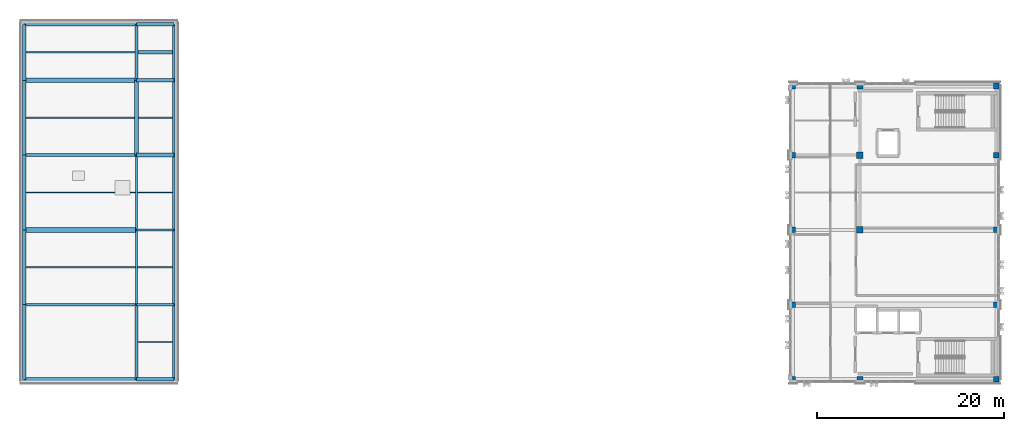
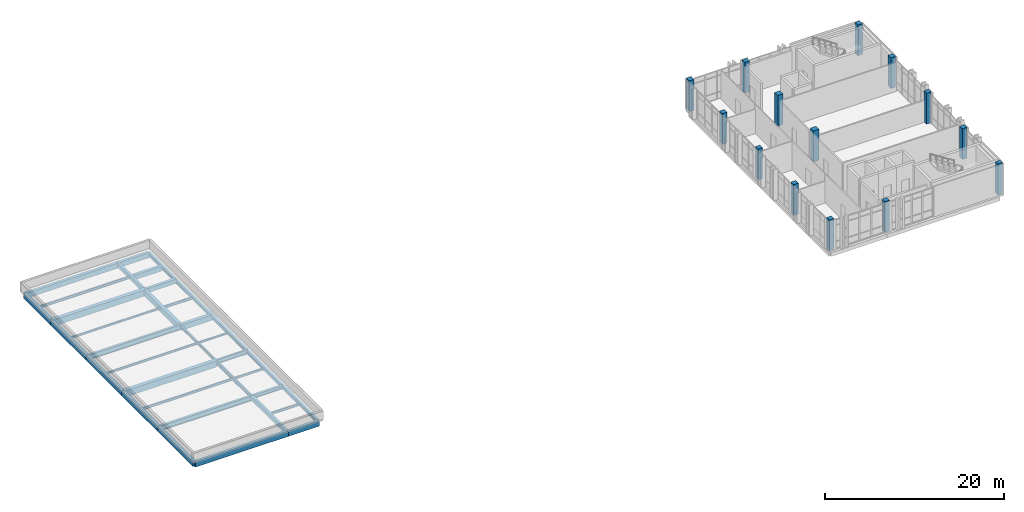
# One storey, part 1 of 22: 36 beams, 14 columns.
"""IFC4 building model written with IfcOpenShell, lengths in metres."""

from ifc_helpers import new_model, si_unit, direction, frame, origin, origin_2d, place, context, subcontext, project, spatial, rectangle, i_section, extrude, material, material_profile, profile_set, type_object, element, save


model = new_model("IFC4")

# Units and contexts
model_context = context("Model", 3, precision=1e-05, world=origin(), true_north=direction((0.0, 1.0)))
body_context = subcontext(model_context, "Body", "Model", "MODEL_VIEW")
ifc_project = project(units=[si_unit("LENGTHUNIT", "METRE"), si_unit("AREAUNIT", "SQUARE_METRE"), si_unit("VOLUMEUNIT", "CUBIC_METRE"), si_unit("PLANEANGLEUNIT", "RADIAN"), si_unit("MASSUNIT", "GRAM", prefix="KILO")], contexts=[model_context])

# Site, building, storey
site_placement = place(None, origin())
site = spatial("IfcSite", under=ifc_project, at=site_placement, CompositionType="ELEMENT")
building_placement = place(site_placement, origin())
building = spatial("IfcBuilding", under=site, at=building_placement, Name="Qalavern Law Courts", CompositionType="ELEMENT")
storey_placement = place(building_placement, frame((0.0, 0.0, 35.39990234375)))
storey = spatial("IfcBuildingStorey", under=building, at=storey_placement, Name="L08", CompositionType="ELEMENT", Elevation=35.39990234375)

# Columns
ifc_material_1 = material(Name="Concrete C45/55", Category="concrete")
ifc_material_profile_1 = material_profile(ifc_material_1, rectangle(XDim=0.60009765625, YDim=0.60009765625, at=origin_2d()), Name="RC 600x600")
ifc_profile_set_1 = profile_set([ifc_material_profile_1], Name="Concrete C45/55")
column_type_1 = type_object("IfcColumnType", Name="STR-COL-RC600E", PredefinedType="COLUMN", material=ifc_profile_set_1)
for number, where, z_axis, x_axis, name in (
    (1, (84.60009765625, 41.419921875, 0.0), (0.0, 0.0, 1.0), (1.0, 0.0, 0.0), "V4 column 1-1 L08"),
    (2, (84.60009765625, 49.39990234375, 0.0), (0.0, 0.0, 1.0), (1.0, 0.0, 0.0), "V4 column 1-2 L08"),
    (3, (84.60009765625, 57.39990234375, 0.0), (0.0, 0.0, 1.0), (1.0, 0.0, 0.0), "V4 column 1-3 L08"),
    (4, (84.60009765625, 65.39990234375, 0.0), (0.0, 0.0, 1.0), (1.0, 0.0, 0.0), "V4 column 1-4 L08"),
    (5, (84.60009765625, 72.800048828125, 0.0), (0.0, 0.0, 1.0), (1.0, 0.0, 0.0), "V4 column 1-5 L08"),
    (6, (91.800048828125, 41.419921875, 0.0), (0.0, 0.0, 1.0), (1.0, 0.0, 0.0), "V4 column 2-1 L08"),
    (7, (91.800048828125, 72.800048828125, 0.0), (0.0, 0.0, 1.0), (1.0, 0.0, 0.0), "V4 column 2-5 L08"),
    (8, (106.39990234375, 41.419921875, 0.0), (0.0, 0.0, 1.0), (1.0, 0.0, 0.0), "V4 column 3-1 L08"),
    (9, (106.39990234375, 49.39990234375, 0.0), (0.0, 0.0, 1.0), (1.0, 0.0, 0.0), "V4 column 3-2 L08"),
    (10, (106.39990234375, 57.39990234375, 0.0), (0.0, 0.0, 1.0), (1.0, 0.0, 0.0), "V4 column 3-3 L08"),
    (11, (106.39990234375, 65.39990234375, 0.0), (0.0, 0.0, 1.0), (1.0, 0.0, 0.0), "V4 column 3-4 L08"),
    (12, (106.39990234375, 72.800048828125, 0.0), (0.0, 0.0, 1.0), (1.0, 0.0, 0.0), "V4 column 3-5 L08"),
):
    element("IfcColumn", number, at=place(storey_placement, frame(where, z_axis=z_axis, x_axis=x_axis)), inside=storey, type_object=column_type_1, Name=name, PredefinedType="COLUMN", context=body_context, shape_type="SweptSolid", body=[
        extrude(rectangle(XDim=0.60009765625, YDim=0.60009765625, at=origin_2d()), origin(), (0.0, 0.0, 1.0), 4.2001953125),
    ])
ifc_material_profile_2 = material_profile(ifc_material_1, rectangle(XDim=0.699951171875, YDim=0.699951171875, at=origin_2d()), Name="RC 700x700")
ifc_profile_set_2 = profile_set([ifc_material_profile_2], Name="Concrete C45/55")
column_type_2 = type_object("IfcColumnType", Name="STR-COL-RC700", PredefinedType="COLUMN", material=ifc_profile_set_2)
for number, where, z_axis, x_axis, name in (
    (13, (91.800048828125, 57.39990234375, 0.0), (0.0, 0.0, 1.0), (1.0, 0.0, 0.0), "V4 column 2-3 L08"),
    (14, (91.800048828125, 65.39990234375, 0.0), (0.0, 0.0, 1.0), (1.0, 0.0, 0.0), "V4 column 2-4 L08"),
):
    element("IfcColumn", number, at=place(storey_placement, frame(where, z_axis=z_axis, x_axis=x_axis)), inside=storey, type_object=column_type_2, Name=name, PredefinedType="COLUMN", context=body_context, shape_type="SweptSolid", body=[
        extrude(rectangle(XDim=0.699951171875, YDim=0.699951171875, at=origin_2d()), origin(), (0.0, 0.0, 1.0), 4.2001953125),
    ])

# Beams
ifc_material_2 = material(Name="Steel S355", Category="steel")
ifc_material_profile_3 = material_profile(ifc_material_2, i_section(OverallWidth=0.300048828125, OverallDepth=0.489990234375, WebThickness=0.011962890625, FlangeThickness=0.02294921875, FilletRadius=0.027099609375, at=origin_2d()), Name="HEA 500")
ifc_profile_set_3 = profile_set([ifc_material_profile_3], Name="Steel S355")
beam_type_1 = type_object("IfcBeamType", Name="STR-BM-HEA500", PredefinedType="BEAM", material=ifc_profile_set_3)
beam_1_placement = place(storey_placement, frame((14.39990234375, 49.39990234375, -0.5048828125), z_axis=(1.0, 0.0, 0.0), x_axis=(0.0, 1.0, 0.0)))
element("IfcBeam", 15, at=beam_1_placement, inside=storey, type_object=beam_type_1, Name="V3 X-beam 2-2 L08", PredefinedType="BEAM", context=body_context, shape_type="SweptSolid", body=[
    extrude(i_section(OverallWidth=0.300048828125, OverallDepth=0.489990234375, WebThickness=0.011962890625, FlangeThickness=0.02294921875, FilletRadius=0.027099609375, at=origin_2d()), origin(), (0.0, 0.0, 1.0), 4.0),
])
ifc_material_profile_4 = material_profile(ifc_material_2, i_section(OverallWidth=0.300048828125, OverallDepth=0.699951171875, WebThickness=0.01708984375, FlangeThickness=0.031982421875, FilletRadius=0.027099609375, at=origin_2d()), Name="HEB 700")
ifc_profile_set_4 = profile_set([ifc_material_profile_4], Name="Steel S355")
beam_type_2 = type_object("IfcBeamType", Name="STR-BM-HEB700", PredefinedType="BEAM", material=ifc_profile_set_4)
for number, where, z_axis, x_axis, name in (
    (16, (2.39990234375, 49.39990234375, -0.60986328125), (1.0, 0.0, 0.0), (0.0, 1.0, 0.0), "V3 X-beam 2-1 L08"),
    (17, (2.39990234375, 65.39990234375, -0.60986328125), (1.0, 0.0, 0.0), (0.0, 1.0, 0.0), "V3 X-beam 4-1 L08"),
):
    element("IfcBeam", number, at=place(storey_placement, frame(where, z_axis=z_axis, x_axis=x_axis)), inside=storey, type_object=beam_type_2, Name=name, PredefinedType="BEAM", context=body_context, shape_type="SweptSolid", body=[
        extrude(i_section(OverallWidth=0.300048828125, OverallDepth=0.699951171875, WebThickness=0.01708984375, FlangeThickness=0.031982421875, FilletRadius=0.027099609375, at=origin_2d()), origin(), (0.0, 0.0, 1.0), 12.0),
    ])
ifc_material_profile_5 = material_profile(ifc_material_2, i_section(OverallWidth=0.179931640625, OverallDepth=0.39990234375, WebThickness=0.008544921875, FlangeThickness=0.013427734375, FilletRadius=0.02099609375, at=origin_2d()), Name="IPE 400")
ifc_profile_set_5 = profile_set([ifc_material_profile_5], Name="Steel S355")
beam_type_3 = type_object("IfcBeamType", Name="STR-BM-IPE400", PredefinedType="BEAM", material=ifc_profile_set_5)
beam_2_placement = place(storey_placement, frame((14.39990234375, 57.39990234375, -0.4599609375), z_axis=(0.0, 1.0, 0.0), x_axis=(-1.0, 0.0, 0.0)))
element("IfcBeam", 18, at=beam_2_placement, inside=storey, type_object=beam_type_3, Name="V3 Y-beam 2-3 L08", PredefinedType="BEAM", context=body_context, shape_type="SweptSolid", body=[
    extrude(i_section(OverallWidth=0.179931640625, OverallDepth=0.39990234375, WebThickness=0.008544921875, FlangeThickness=0.013427734375, FilletRadius=0.02099609375, at=origin_2d()), origin(), (0.0, 0.0, 1.0), 8.0),
])
ifc_material_profile_6 = material_profile(ifc_material_2, i_section(OverallWidth=0.199951171875, OverallDepth=0.5, WebThickness=0.01025390625, FlangeThickness=0.01611328125, FilletRadius=0.02099609375, at=origin_2d()), Name="IPE 500")
ifc_profile_set_6 = profile_set([ifc_material_profile_6], Name="Steel S355")
beam_type_4 = type_object("IfcBeamType", Name="STR-BM-IPE500", PredefinedType="BEAM", material=ifc_profile_set_6)
beam_3_placement = place(storey_placement, frame((14.39990234375, 49.39990234375, -0.510009765625), z_axis=(0.0, 1.0, 0.0), x_axis=(-1.0, 0.0, 0.0)))
element("IfcBeam", 19, at=beam_3_placement, inside=storey, type_object=beam_type_4, Name="V3 Y-beam 2-2 L08", PredefinedType="BEAM", context=body_context, shape_type="SweptSolid", body=[
    extrude(i_section(OverallWidth=0.199951171875, OverallDepth=0.5, WebThickness=0.01025390625, FlangeThickness=0.01611328125, FilletRadius=0.02099609375, at=origin_2d()), origin(), (0.0, 0.0, 1.0), 8.0),
])
ifc_material_profile_7 = material_profile(ifc_material_2, i_section(OverallWidth=0.219970703125, OverallDepth=0.60009765625, WebThickness=0.011962890625, FlangeThickness=0.01904296875, FilletRadius=0.02392578125, at=origin_2d()), Name="IPE 600")
ifc_profile_set_7 = profile_set([ifc_material_profile_7], Name="Steel S355")
beam_type_5 = type_object("IfcBeamType", Name="STR-BM-IPE600", PredefinedType="BEAM", material=ifc_profile_set_7)
beam_4_placement = place(storey_placement, frame((14.39990234375, 57.39990234375, -0.559814453125), z_axis=(1.0, 0.0, 0.0), x_axis=(0.0, 1.0, 0.0)))
element("IfcBeam", 20, at=beam_4_placement, inside=storey, type_object=beam_type_5, Name="V3 X-beam 3-2 L08", PredefinedType="BEAM", context=body_context, shape_type="SweptSolid", body=[
    extrude(i_section(OverallWidth=0.219970703125, OverallDepth=0.60009765625, WebThickness=0.011962890625, FlangeThickness=0.01904296875, FilletRadius=0.02392578125, at=origin_2d()), origin(), (0.0, 0.0, 1.0), 4.0),
])
ifc_material_3 = material(Name="Concrete C35/45", Category="concrete")
ifc_material_profile_8 = material_profile(ifc_material_3, rectangle(XDim=0.35009765625, YDim=0.550048828125, at=origin_2d()), Name="RC 350x550")
ifc_profile_set_8 = profile_set([ifc_material_profile_8], Name="Concrete C35/45")
beam_type_6 = type_object("IfcBeamType", Name="STR-BM-RC350x550", PredefinedType="BEAM", material=ifc_profile_set_8)
beam_5_placement = place(storey_placement, frame((14.39990234375, 41.419921875, -0.534912109375), z_axis=(0.0, 1.0, 0.0), x_axis=(-1.0, 0.0, 0.0)))
element("IfcBeam", 21, at=beam_5_placement, inside=storey, type_object=beam_type_6, Name="V3 Y-beam 2-1 L08", PredefinedType="BEAM", context=body_context, shape_type="SweptSolid", body=[
    extrude(rectangle(XDim=0.35009765625, YDim=0.550048828125, at=origin_2d()), origin(), (0.0, 0.0, 1.0), 7.97998046875),
])
beam_6_placement = place(storey_placement, frame((14.39990234375, 73.39990234375, -0.534912109375), z_axis=(0.0, 1.0, 0.0), x_axis=(-1.0, 0.0, 0.0)))
element("IfcBeam", 22, at=beam_6_placement, inside=storey, type_object=beam_type_6, Name="V3 Y-beam 2-5 L08", PredefinedType="BEAM", context=body_context, shape_type="SweptSolid", body=[
    extrude(rectangle(XDim=0.35009765625, YDim=0.550048828125, at=origin_2d()), origin(), (0.0, 0.0, 1.0), 6.0),
])
ifc_material_profile_9 = material_profile(ifc_material_3, rectangle(XDim=0.35009765625, YDim=0.60009765625, at=origin_2d()), Name="RC 350x600")
ifc_profile_set_9 = profile_set([ifc_material_profile_9], Name="Concrete C35/45")
beam_type_7 = type_object("IfcBeamType", Name="STR-BM-RC350x600", PredefinedType="BEAM", material=ifc_profile_set_9)
beam_7_placement = place(storey_placement, frame((14.39990234375, 73.39990234375, -0.559814453125), z_axis=(1.0, 0.0, 0.0), x_axis=(0.0, 1.0, 0.0)))
element("IfcBeam", 23, at=beam_7_placement, inside=storey, type_object=beam_type_7, Name="V3 X-beam 5-2 L08", PredefinedType="BEAM", context=body_context, shape_type="SweptSolid", body=[
    extrude(rectangle(XDim=0.35009765625, YDim=0.60009765625, at=origin_2d()), origin(), (0.0, 0.0, 1.0), 4.0),
])
ifc_material_4 = material(Name="Concrete C40/50", Category="concrete")
ifc_material_profile_10 = material_profile(ifc_material_4, rectangle(XDim=0.449951171875, YDim=0.75, at=origin_2d()), Name="RC 450x750")
ifc_profile_set_10 = profile_set([ifc_material_profile_10], Name="Concrete C40/50")
beam_type_8 = type_object("IfcBeamType", Name="STR-BM-RC450x750", PredefinedType="BEAM", material=ifc_profile_set_10)
beam_8_placement = place(storey_placement, frame((14.39990234375, 65.39990234375, -0.635009765625), z_axis=(1.0, 0.0, 0.0), x_axis=(0.0, 1.0, 0.0)))
element("IfcBeam", 24, at=beam_8_placement, inside=storey, type_object=beam_type_8, Name="V3 X-beam 4-2 L08", PredefinedType="BEAM", context=body_context, shape_type="SweptSolid", body=[
    extrude(rectangle(XDim=0.449951171875, YDim=0.75, at=origin_2d()), origin(), (0.0, 0.0, 1.0), 4.0),
])
beam_9_placement = place(storey_placement, frame((14.39990234375, 65.39990234375, -0.635009765625), z_axis=(0.0, 1.0, 0.0), x_axis=(-1.0, 0.0, 0.0)))
element("IfcBeam", 25, at=beam_9_placement, inside=storey, type_object=beam_type_8, Name="V3 Y-beam 2-4 L08", PredefinedType="BEAM", context=body_context, shape_type="SweptSolid", body=[
    extrude(rectangle(XDim=0.449951171875, YDim=0.75, at=origin_2d()), origin(), (0.0, 0.0, 1.0), 8.0),
])
ifc_material_profile_11 = material_profile(ifc_material_4, rectangle(XDim=0.5, YDim=0.85009765625, at=origin_2d()), Name="RC 500x850")
ifc_profile_set_11 = profile_set([ifc_material_profile_11], Name="Concrete C40/50")
beam_type_9 = type_object("IfcBeamType", Name="STR-BM-RC500x850", PredefinedType="BEAM", material=ifc_profile_set_11)
for number, where, z_axis, x_axis, name in (
    (26, (2.39990234375, 57.39990234375, -0.684814453125), (1.0, 0.0, 0.0), (0.0, 1.0, 0.0), "V3 X-beam 3-1 L08"),
    (27, (2.39990234375, 73.39990234375, -0.684814453125), (1.0, 0.0, 0.0), (0.0, 1.0, 0.0), "V3 X-beam 5-1 L08"),
):
    element("IfcBeam", number, at=place(storey_placement, frame(where, z_axis=z_axis, x_axis=x_axis)), inside=storey, type_object=beam_type_9, Name=name, PredefinedType="BEAM", context=body_context, shape_type="SweptSolid", body=[
        extrude(rectangle(XDim=0.5, YDim=0.85009765625, at=origin_2d()), origin(), (0.0, 0.0, 1.0), 12.0),
    ])
ifc_material_profile_12 = material_profile(ifc_material_2, i_section(OverallWidth=0.135009765625, OverallDepth=0.27001953125, WebThickness=0.006591796875, FlangeThickness=0.01025390625, FilletRadius=0.014892578125, at=origin_2d()), Name="IPE 270")
ifc_profile_set_12 = profile_set([ifc_material_profile_12], Name="Steel S355")
beam_type_10 = type_object("IfcBeamType", Name="STR-JST-IPE270", PredefinedType="JOIST", material=ifc_profile_set_12)
beam_10_placement = place(storey_placement, frame((2.597900390625, 69.39990234375, -0.39501953125), z_axis=(1.0, 0.0, 0.0), x_axis=(0.0, 1.0, 0.0)))
element("IfcBeam", 28, at=beam_10_placement, inside=storey, type_object=beam_type_10, Name="V3 secondary joist 1.4.1 L08", PredefinedType="JOIST", context=body_context, shape_type="SweptSolid", body=[
    extrude(i_section(OverallWidth=0.135009765625, OverallDepth=0.27001953125, WebThickness=0.006591796875, FlangeThickness=0.01025390625, FilletRadius=0.014892578125, at=origin_2d()), origin(), (0.0, 0.0, 1.0), 11.5791015625),
])
beam_11_placement = place(storey_placement, frame((14.488037109375, 61.39990234375, -0.39501953125), z_axis=(1.0, 0.0, 0.0), x_axis=(0.0, 1.0, 0.0)))
element("IfcBeam", 29, at=beam_11_placement, inside=storey, type_object=beam_type_10, Name="V3 secondary joist 2.3.1 L08", PredefinedType="JOIST", context=body_context, shape_type="SweptSolid", body=[
    extrude(i_section(OverallWidth=0.135009765625, OverallDepth=0.27001953125, WebThickness=0.006591796875, FlangeThickness=0.01025390625, FilletRadius=0.014892578125, at=origin_2d()), origin(), (0.0, 0.0, 1.0), 3.763916015625),
])
ifc_material_profile_13 = material_profile(ifc_material_2, i_section(OverallWidth=0.14990234375, OverallDepth=0.300048828125, WebThickness=0.007080078125, FlangeThickness=0.0107421875, FilletRadius=0.014892578125, at=origin_2d()), Name="IPE 300")
ifc_profile_set_13 = profile_set([ifc_material_profile_13], Name="Steel S355")
beam_type_11 = type_object("IfcBeamType", Name="STR-JST-IPE300", PredefinedType="JOIST", material=ifc_profile_set_13)
beam_12_placement = place(storey_placement, frame((2.597900390625, 61.39990234375, -0.409912109375), z_axis=(1.0, 0.0, 0.0), x_axis=(0.0, 1.0, 0.0)))
element("IfcBeam", 30, at=beam_12_placement, inside=storey, type_object=beam_type_11, Name="V3 secondary joist 1.3.1 L08", PredefinedType="JOIST", context=body_context, shape_type="SweptSolid", body=[
    extrude(i_section(OverallWidth=0.14990234375, OverallDepth=0.300048828125, WebThickness=0.007080078125, FlangeThickness=0.0107421875, FilletRadius=0.014892578125, at=origin_2d()), origin(), (0.0, 0.0, 1.0), 11.714111328125),
])
beam_13_placement = place(storey_placement, frame((14.498046875, 53.39990234375, -0.409912109375), z_axis=(1.0, 0.0, 0.0), x_axis=(0.0, 1.0, 0.0)))
element("IfcBeam", 31, at=beam_13_placement, inside=storey, type_object=beam_type_11, Name="V3 secondary joist 2.2.1 L08", PredefinedType="JOIST", context=body_context, shape_type="SweptSolid", body=[
    extrude(i_section(OverallWidth=0.14990234375, OverallDepth=0.300048828125, WebThickness=0.007080078125, FlangeThickness=0.0107421875, FilletRadius=0.014892578125, at=origin_2d()), origin(), (0.0, 0.0, 1.0), 3.75390625),
])
ifc_material_profile_14 = material_profile(ifc_material_2, i_section(OverallWidth=0.159912109375, OverallDepth=0.330078125, WebThickness=0.007568359375, FlangeThickness=0.011474609375, FilletRadius=0.01806640625, at=origin_2d()), Name="IPE 330")
ifc_profile_set_14 = profile_set([ifc_material_profile_14], Name="Steel S355")
beam_type_12 = type_object("IfcBeamType", Name="STR-JST-IPE330", PredefinedType="JOIST", material=ifc_profile_set_14)
beam_14_placement = place(storey_placement, frame((2.597900390625, 53.39990234375, -0.4248046875), z_axis=(1.0, 0.0, 0.0), x_axis=(0.0, 1.0, 0.0)))
element("IfcBeam", 32, at=beam_14_placement, inside=storey, type_object=beam_type_12, Name="V3 secondary joist 1.2.1 L08", PredefinedType="JOIST", context=body_context, shape_type="SweptSolid", body=[
    extrude(i_section(OverallWidth=0.159912109375, OverallDepth=0.330078125, WebThickness=0.007568359375, FlangeThickness=0.011474609375, FilletRadius=0.01806640625, at=origin_2d()), origin(), (0.0, 0.0, 1.0), 11.7041015625),
])
beam_15_placement = place(storey_placement, frame((14.572998046875, 45.409912109375, -0.4248046875), z_axis=(1.0, 0.0, 0.0), x_axis=(0.0, 1.0, 0.0)))
element("IfcBeam", 33, at=beam_15_placement, inside=storey, type_object=beam_type_12, Name="V3 secondary joist 2.1.1 L08", PredefinedType="JOIST", context=body_context, shape_type="SweptSolid", body=[
    extrude(i_section(OverallWidth=0.159912109375, OverallDepth=0.330078125, WebThickness=0.007568359375, FlangeThickness=0.011474609375, FilletRadius=0.01806640625, at=origin_2d()), origin(), (0.0, 0.0, 1.0), 3.678955078125),
])
ifc_material_profile_15 = material_profile(ifc_material_2, i_section(OverallWidth=0.169921875, OverallDepth=0.360107421875, WebThickness=0.008056640625, FlangeThickness=0.0126953125, FilletRadius=0.01806640625, at=origin_2d()), Name="IPE 360")
ifc_profile_set_15 = profile_set([ifc_material_profile_15], Name="Steel S355")
beam_type_13 = type_object("IfcBeamType", Name="STR-JST-IPE360", PredefinedType="JOIST", material=ifc_profile_set_15)
beam_16_placement = place(storey_placement, frame((2.597900390625, 76.39990234375, -0.43994140625), z_axis=(1.0, 0.0, 0.0), x_axis=(0.0, 1.0, 0.0)))
element("IfcBeam", 34, at=beam_16_placement, inside=storey, type_object=beam_type_13, Name="V3 secondary joist 1.5.1 L08", PredefinedType="JOIST", context=body_context, shape_type="SweptSolid", body=[
    extrude(i_section(OverallWidth=0.169921875, OverallDepth=0.360107421875, WebThickness=0.008056640625, FlangeThickness=0.0126953125, FilletRadius=0.01806640625, at=origin_2d()), origin(), (0.0, 0.0, 1.0), 11.629150390625),
])
beam_17_placement = place(storey_placement, frame((14.623046875, 69.39990234375, -0.43994140625), z_axis=(1.0, 0.0, 0.0), x_axis=(0.0, 1.0, 0.0)))
element("IfcBeam", 35, at=beam_17_placement, inside=storey, type_object=beam_type_13, Name="V3 secondary joist 2.4.1 L08", PredefinedType="JOIST", context=body_context, shape_type="SweptSolid", body=[
    extrude(i_section(OverallWidth=0.169921875, OverallDepth=0.360107421875, WebThickness=0.008056640625, FlangeThickness=0.0126953125, FilletRadius=0.01806640625, at=origin_2d()), origin(), (0.0, 0.0, 1.0), 3.62890625),
])
ifc_material_profile_16 = material_profile(ifc_material_3, rectangle(XDim=0.39990234375, YDim=0.64990234375, at=origin_2d()), Name="RC 400x650")
ifc_profile_set_16 = profile_set([ifc_material_profile_16], Name="Concrete C35/45")
beam_type_14 = type_object("IfcBeamType", Name="STR-JST-RC400x650", PredefinedType="JOIST", material=ifc_profile_set_16)
beam_18_placement = place(storey_placement, frame((14.572998046875, 76.39990234375, -0.5849609375), z_axis=(1.0, 0.0, 0.0), x_axis=(0.0, 1.0, 0.0)))
element("IfcBeam", 36, at=beam_18_placement, inside=storey, type_object=beam_type_14, Name="V3 secondary joist 2.5.1 L08", PredefinedType="JOIST", context=body_context, shape_type="SweptSolid", body=[
    extrude(rectangle(XDim=0.39990234375, YDim=0.64990234375, at=origin_2d()), origin(), (0.0, 0.0, 1.0), 3.678955078125),
])
ifc_material_profile_17 = material_profile(ifc_material_2, i_section(OverallWidth=0.300048828125, OverallDepth=0.449951171875, WebThickness=0.013916015625, FlangeThickness=0.02587890625, FilletRadius=0.027099609375, at=origin_2d()), Name="HEB 450")
ifc_profile_set_17 = profile_set([ifc_material_profile_17], Name="Steel S355")
beam_type_15 = type_object("IfcBeamType", Name="STR-SP-HEB450", PredefinedType="SPANDREL", material=ifc_profile_set_17)
beam_19_placement = place(storey_placement, frame((18.39990234375, 41.419921875, -0.48486328125), z_axis=(0.0, 1.0, 0.0), x_axis=(-1.0, 0.0, 0.0)))
element("IfcBeam", 37, at=beam_19_placement, inside=storey, type_object=beam_type_15, Name="V3 Y-beam 3-1 L08", PredefinedType="SPANDREL", context=body_context, shape_type="SweptSolid", body=[
    extrude(i_section(OverallWidth=0.300048828125, OverallDepth=0.449951171875, WebThickness=0.013916015625, FlangeThickness=0.02587890625, FilletRadius=0.027099609375, at=origin_2d()), origin(), (0.0, 0.0, 1.0), 7.97998046875),
])
for number, where, z_axis, x_axis, name in (
    (38, (18.39990234375, 49.39990234375, -0.48486328125), (0.0, 1.0, 0.0), (-1.0, 0.0, 0.0), "V3 Y-beam 3-2 L08"),
    (39, (18.39990234375, 57.39990234375, -0.48486328125), (0.0, 1.0, 0.0), (-1.0, 0.0, 0.0), "V3 Y-beam 3-3 L08"),
    (40, (18.39990234375, 65.39990234375, -0.48486328125), (0.0, 1.0, 0.0), (-1.0, 0.0, 0.0), "V3 Y-beam 3-4 L08"),
):
    element("IfcBeam", number, at=place(storey_placement, frame(where, z_axis=z_axis, x_axis=x_axis)), inside=storey, type_object=beam_type_15, Name=name, PredefinedType="SPANDREL", context=body_context, shape_type="SweptSolid", body=[
        extrude(i_section(OverallWidth=0.300048828125, OverallDepth=0.449951171875, WebThickness=0.013916015625, FlangeThickness=0.02587890625, FilletRadius=0.027099609375, at=origin_2d()), origin(), (0.0, 0.0, 1.0), 8.0),
    ])
beam_20_placement = place(storey_placement, frame((18.39990234375, 73.39990234375, -0.48486328125), z_axis=(0.0, 1.0, 0.0), x_axis=(-1.0, 0.0, 0.0)))
element("IfcBeam", 41, at=beam_20_placement, inside=storey, type_object=beam_type_15, Name="V3 Y-beam 3-5 L08", PredefinedType="SPANDREL", context=body_context, shape_type="SweptSolid", body=[
    extrude(i_section(OverallWidth=0.300048828125, OverallDepth=0.449951171875, WebThickness=0.013916015625, FlangeThickness=0.02587890625, FilletRadius=0.027099609375, at=origin_2d()), origin(), (0.0, 0.0, 1.0), 6.0),
])
ifc_material_profile_18 = material_profile(ifc_material_4, rectangle(XDim=0.39990234375, YDim=0.699951171875, at=origin_2d()), Name="RC 400x700")
ifc_profile_set_18 = profile_set([ifc_material_profile_18], Name="Concrete C40/50")
beam_type_16 = type_object("IfcBeamType", Name="STR-SP-RC400x700", PredefinedType="SPANDREL", material=ifc_profile_set_18)
beam_21_placement = place(storey_placement, frame((2.39990234375, 41.419921875, -0.60986328125), z_axis=(1.0, 0.0, 0.0), x_axis=(0.0, 1.0, 0.0)))
element("IfcBeam", 42, at=beam_21_placement, inside=storey, type_object=beam_type_16, Name="V3 X-beam 1-1 L08", PredefinedType="SPANDREL", context=body_context, shape_type="SweptSolid", body=[
    extrude(rectangle(XDim=0.39990234375, YDim=0.699951171875, at=origin_2d()), origin(), (0.0, 0.0, 1.0), 12.0),
])
beam_22_placement = place(storey_placement, frame((14.39990234375, 41.419921875, -0.60986328125), z_axis=(1.0, 0.0, 0.0), x_axis=(0.0, 1.0, 0.0)))
element("IfcBeam", 43, at=beam_22_placement, inside=storey, type_object=beam_type_16, Name="V3 X-beam 1-2 L08", PredefinedType="SPANDREL", context=body_context, shape_type="SweptSolid", body=[
    extrude(rectangle(XDim=0.39990234375, YDim=0.699951171875, at=origin_2d()), origin(), (0.0, 0.0, 1.0), 4.0),
])
beam_23_placement = place(storey_placement, frame((2.39990234375, 79.39990234375, -0.60986328125), z_axis=(1.0, 0.0, 0.0), x_axis=(0.0, 1.0, 0.0)))
element("IfcBeam", 44, at=beam_23_placement, inside=storey, type_object=beam_type_16, Name="V3 X-beam 6-1 L08", PredefinedType="SPANDREL", context=body_context, shape_type="SweptSolid", body=[
    extrude(rectangle(XDim=0.39990234375, YDim=0.699951171875, at=origin_2d()), origin(), (0.0, 0.0, 1.0), 12.0),
])
beam_24_placement = place(storey_placement, frame((14.39990234375, 79.39990234375, -0.60986328125), z_axis=(1.0, 0.0, 0.0), x_axis=(0.0, 1.0, 0.0)))
element("IfcBeam", 45, at=beam_24_placement, inside=storey, type_object=beam_type_16, Name="V3 X-beam 6-2 L08", PredefinedType="SPANDREL", context=body_context, shape_type="SweptSolid", body=[
    extrude(rectangle(XDim=0.39990234375, YDim=0.699951171875, at=origin_2d()), origin(), (0.0, 0.0, 1.0), 4.0),
])
beam_25_placement = place(storey_placement, frame((2.39990234375, 41.419921875, -0.60986328125), z_axis=(0.0, 1.0, 0.0), x_axis=(-1.0, 0.0, 0.0)))
element("IfcBeam", 46, at=beam_25_placement, inside=storey, type_object=beam_type_16, Name="V3 Y-beam 1-1 L08", PredefinedType="SPANDREL", context=body_context, shape_type="SweptSolid", body=[
    extrude(rectangle(XDim=0.39990234375, YDim=0.699951171875, at=origin_2d()), origin(), (0.0, 0.0, 1.0), 7.97998046875),
])
for number, where, z_axis, x_axis, name in (
    (47, (2.39990234375, 49.39990234375, -0.60986328125), (0.0, 1.0, 0.0), (-1.0, 0.0, 0.0), "V3 Y-beam 1-2 L08"),
    (48, (2.39990234375, 57.39990234375, -0.60986328125), (0.0, 1.0, 0.0), (-1.0, 0.0, 0.0), "V3 Y-beam 1-3 L08"),
    (49, (2.39990234375, 65.39990234375, -0.60986328125), (0.0, 1.0, 0.0), (-1.0, 0.0, 0.0), "V3 Y-beam 1-4 L08"),
):
    element("IfcBeam", number, at=place(storey_placement, frame(where, z_axis=z_axis, x_axis=x_axis)), inside=storey, type_object=beam_type_16, Name=name, PredefinedType="SPANDREL", context=body_context, shape_type="SweptSolid", body=[
        extrude(rectangle(XDim=0.39990234375, YDim=0.699951171875, at=origin_2d()), origin(), (0.0, 0.0, 1.0), 8.0),
    ])
beam_26_placement = place(storey_placement, frame((2.39990234375, 73.39990234375, -0.60986328125), z_axis=(0.0, 1.0, 0.0), x_axis=(-1.0, 0.0, 0.0)))
element("IfcBeam", 50, at=beam_26_placement, inside=storey, type_object=beam_type_16, Name="V3 Y-beam 1-5 L08", PredefinedType="SPANDREL", context=body_context, shape_type="SweptSolid", body=[
    extrude(rectangle(XDim=0.39990234375, YDim=0.699951171875, at=origin_2d()), origin(), (0.0, 0.0, 1.0), 6.0),
])

save(model, "model.ifc")
